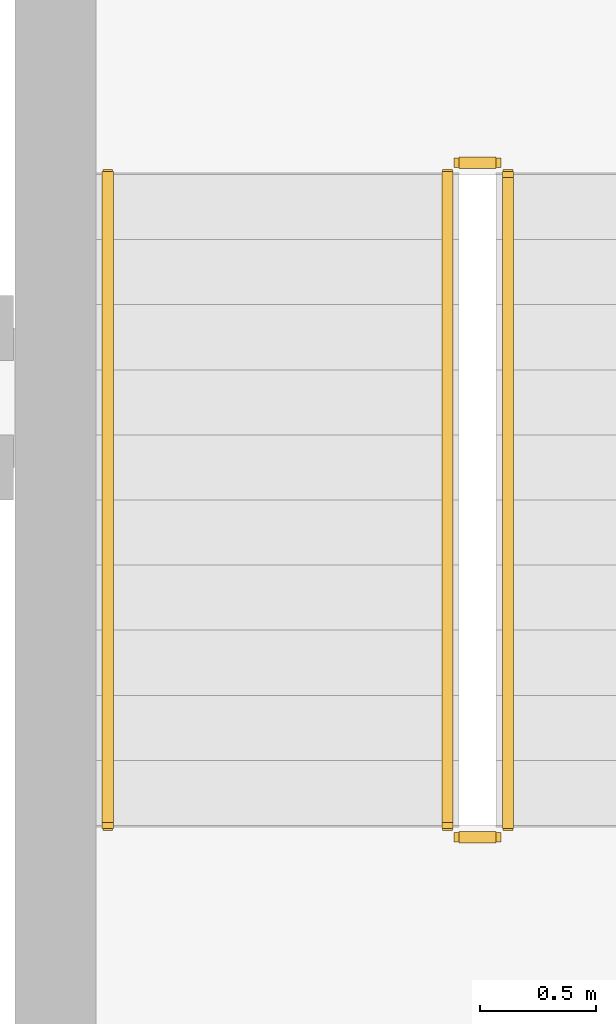
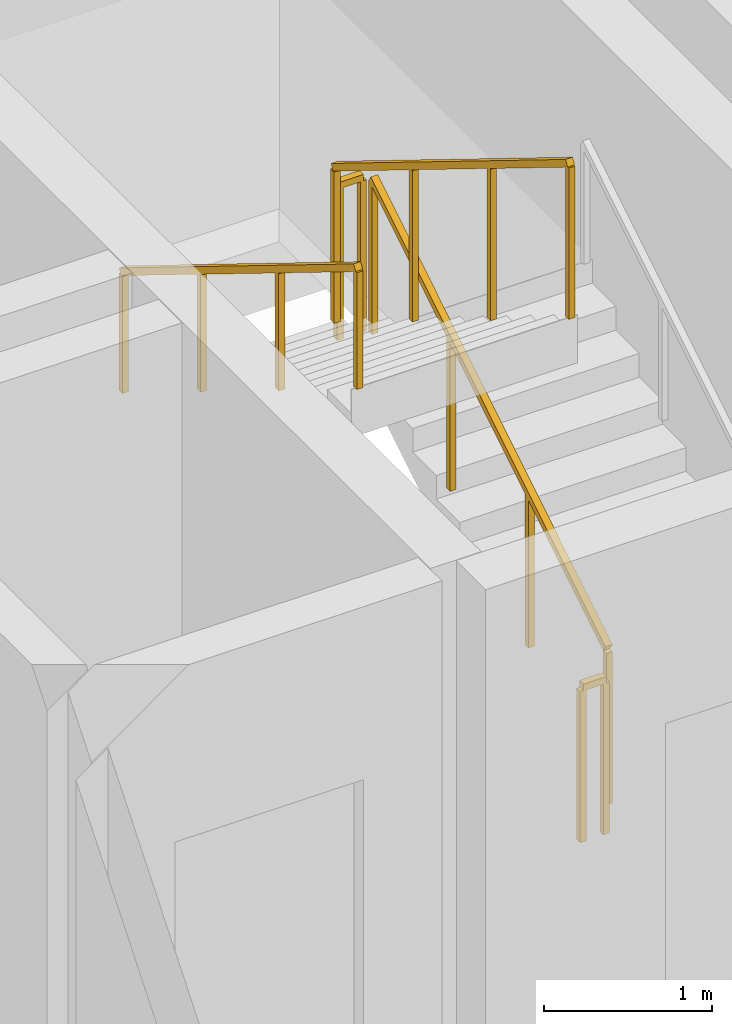
# One storey, part 14 of 15: 5 railings.
"""IFC4 building model written with IfcOpenShell, lengths in metres."""

import ifcopenshell
import ifcopenshell.guid

model = None  # the IFC model being written
_history = None  # IfcOwnerHistory: only IFC2X3 demands one
_inside = {}  # id of a spatial element -> (the spatial element, [elements in it])
_under = {}  # id of a project, library or spatial element -> (it, [spatial elements below it])
_declared = {}  # id of a project -> (the project, [libraries it declares])
_typed = {}  # id of a type object -> (the type object, [elements of that type])
_made_of = {}  # id of a material, layer set ... -> (it, [elements and type objects made of it])


def new_model(schema):
    """Start an empty IFC model of exactly this schema.

    Asked for "IFC4X3", IfcOpenShell would pick the latest addendum, in which some entities
    have other attributes; the version numbers below select the first issue.
    IFC2X3 requires an IfcOwnerHistory on every rooted entity: one is made here for all.
    """
    global model, _history
    if schema == "IFC4X3":
        model = ifcopenshell.file(schema_version=(4, 3, 0, 0))
    else:
        model = ifcopenshell.file(schema=schema)
    _inside.clear()
    _under.clear()
    _declared.clear()
    _typed.clear()
    _made_of.clear()
    _history = None
    if model.schema == "IFC2X3":
        org = make("IfcOrganization", Name="unknown")
        user = make(
            "IfcPersonAndOrganization",
            ThePerson=make("IfcPerson", FamilyName="unknown"),
            TheOrganization=org,
        )
        app = make(
            "IfcApplication",
            ApplicationDeveloper=org,
            Version="unknown",
            ApplicationFullName="unknown",
            ApplicationIdentifier="unknown",
        )
        _history = make(
            "IfcOwnerHistory",
            OwningUser=user,
            OwningApplication=app,
            ChangeAction="ADDED",
            CreationDate=0,
        )
    return model


def make(cls, **values):
    """One entity of the class cls with the attributes given. An attribute that is None is left unset."""
    return model.create_entity(
        cls, **{name: value for name, value in values.items() if value is not None}
    )


def rooted(cls, **values):
    """An entity with a GlobalId (a new one), such as an element, a storey or a relation."""
    return make(cls, GlobalId=ifcopenshell.guid.new(), OwnerHistory=_history, **values)


def si_unit(unit_type, name, prefix=None):
    """IfcSIUnit, for example si_unit("LENGTHUNIT", "METRE", prefix="MILLI")."""
    return make("IfcSIUnit", UnitType=unit_type, Prefix=prefix, Name=name)


def assignment(units):
    """IfcUnitAssignment: the units of a project."""
    return None if units is None else make("IfcUnitAssignment", Units=units)


def point(xyz):
    """IfcCartesianPoint."""
    return None if xyz is None else make("IfcCartesianPoint", Coordinates=xyz)


def direction(xyz):
    """IfcDirection."""
    return None if xyz is None else make("IfcDirection", DirectionRatios=xyz)


def frame(location, z_axis=None, x_axis=None):
    """IfcAxis2Placement3D, a coordinate frame: its origin and axes. An axis left out is left unset."""
    return make(
        "IfcAxis2Placement3D",
        Location=point(location),
        Axis=direction(z_axis),
        RefDirection=direction(x_axis),
    )


def frame_2d(location, x_axis=None):
    """IfcAxis2Placement2D, a coordinate frame in the plane: its origin and x axis."""
    return make(
        "IfcAxis2Placement2D", Location=point(location), RefDirection=direction(x_axis)
    )


def origin():
    """The frame at (0, 0, 0) with its axes left unset."""
    return frame((0.0, 0.0, 0.0))


def origin_2d():
    """The frame at (0, 0) in the plane with its x axis left unset."""
    return frame_2d((0.0, 0.0))


def place(relative_to, where):
    """IfcLocalPlacement: puts the frame where relative to a parent placement (None: the world)."""
    return make(
        "IfcLocalPlacement", PlacementRelTo=relative_to, RelativePlacement=where
    )


def context(
    kind, dimensions, precision=None, world=None, true_north=None, identifier=None
):
    """IfcGeometricRepresentationContext, for example the 3D "Model" context."""
    return make(
        "IfcGeometricRepresentationContext",
        ContextIdentifier=identifier,
        ContextType=kind,
        CoordinateSpaceDimension=dimensions,
        Precision=precision,
        WorldCoordinateSystem=world,
        TrueNorth=true_north,
    )


def subcontext(parent, identifier, kind, view, scale=None):
    """IfcGeometricRepresentationSubContext, for example "Body" below "Model"."""
    return make(
        "IfcGeometricRepresentationSubContext",
        ContextIdentifier=identifier,
        ContextType=kind,
        ParentContext=parent,
        TargetScale=scale,
        TargetView=view,
    )


def project(units=None, contexts=None):
    """IfcProject with its units and contexts."""
    return rooted(
        "IfcProject",
        Name="project",
        RepresentationContexts=contexts,
        UnitsInContext=assignment(units),
    )


def spatial(cls, under=None, at=None, **own):
    """A site, building, storey or space (cls), placed at a placement, below another one or the project."""
    s = rooted(cls, ObjectPlacement=at, **own)
    if under is not None:
        _under.setdefault(under.id(), (under, []))[1].append(s)
    return s


def profile(cls, at=None, kind="AREA", **sizes):
    """A parametric profile (cls). Its sizes go by their IFC names, for example OverallWidth=200.0."""
    return make(cls, ProfileType=kind, Position=at, **sizes)


def rectangle(**sizes):
    """IfcRectangleProfileDef."""
    return profile("IfcRectangleProfileDef", **sizes)


def extrude(swept, where, along, depth):
    """IfcExtrudedAreaSolid: the profile swept, set in the frame where, extruded along a direction by depth."""
    return make(
        "IfcExtrudedAreaSolid",
        SweptArea=swept,
        Position=where,
        ExtrudedDirection=direction(along),
        Depth=depth,
    )


def shape(context_of_items, identifier, shape_type, items):
    """IfcShapeRepresentation: the items that make up one representation, for example the "Body"."""
    return make(
        "IfcShapeRepresentation",
        ContextOfItems=context_of_items,
        RepresentationIdentifier=identifier,
        RepresentationType=shape_type,
        Items=items,
    )


def material(Name=None, Category=None):
    """IfcMaterial."""
    return make("IfcMaterial", Name=Name, Category=Category)


def made_of(thing, what):
    """Note that an element or type object is made of a material, layer set ...; save() writes the relation."""
    if what is not None:
        _made_of.setdefault(what.id(), (what, []))[1].append(thing)
    return thing


def type_object(cls, material=None, **own):
    """A type object (cls), such as IfcWallType, which elements share."""
    return made_of(rooted(cls, **own), material)


def element(
    cls,
    number,
    at=None,
    inside=None,
    cuts=None,
    type_object=None,
    material=None,
    context=None,
    identifier="Body",
    shape_type=None,
    held_by="IfcProductDefinitionShape",
    body=None,
    shapes=None,
    **own,
):
    """One element of the class cls, such as IfcWall. Its Tag is "e" and its number.

    at: its placement. inside: the storey or other place that contains it. cuts: it is an
    opening in that element (IfcRelVoidsElement). A single representation is given by context,
    identifier, shape_type and body (its items); several are given by shapes. held_by: the class
    of the entity that holds the representations. save() writes the other relations.
    """
    e = rooted(cls, Tag="e%d" % number, ObjectPlacement=at, **own)
    if body is not None:
        shapes = [shape(context, identifier, shape_type, body)]
    if shapes is not None:
        e.Representation = make(held_by, Representations=shapes)
    if inside is not None:
        _inside.setdefault(inside.id(), (inside, []))[1].append(e)
    if cuts is not None:
        rooted(
            "IfcRelVoidsElement", RelatingBuildingElement=cuts, RelatedOpeningElement=e
        )
    if type_object is not None:
        _typed.setdefault(type_object.id(), (type_object, []))[1].append(e)
    return made_of(e, material)


def aggregate(whole, parts):
    """IfcRelAggregates: a whole, such as a stair, and the parts it consists of."""
    return rooted("IfcRelAggregates", RelatingObject=whole, RelatedObjects=parts)


def save(model, path):
    """Write the relations noted so far, then the file.

    IfcRelAggregates (storeys below a building ...), IfcRelContainedInSpatialStructure (elements
    in a storey), IfcRelDefinesByType, IfcRelAssociatesMaterial and IfcRelDeclares: one each for
    every whole, place, type object, material and project.
    """
    for whole, parts in _under.values():
        aggregate(whole, parts)
    for where, things in _inside.values():
        rooted(
            "IfcRelContainedInSpatialStructure",
            RelatedElements=things,
            RelatingStructure=where,
        )
    for kind, things in _typed.values():
        rooted("IfcRelDefinesByType", RelatedObjects=things, RelatingType=kind)
    for what, things in _made_of.values():
        rooted("IfcRelAssociatesMaterial", RelatedObjects=things, RelatingMaterial=what)
    for by, libraries in _declared.values():
        rooted("IfcRelDeclares", RelatingContext=by, RelatedDefinitions=libraries)
    model.write(path)


model = new_model("IFC4")

# Units and contexts
model_context = context("Model", 3, precision=1e-05, world=origin(), true_north=direction((0.0, 1.0)))
body_context = subcontext(model_context, "Body", "Model", "MODEL_VIEW")
ifc_project = project(units=[si_unit("LENGTHUNIT", "METRE"), si_unit("AREAUNIT", "SQUARE_METRE"), si_unit("VOLUMEUNIT", "CUBIC_METRE"), si_unit("PLANEANGLEUNIT", "RADIAN"), si_unit("MASSUNIT", "GRAM", prefix="KILO")], contexts=[model_context])

# Site, building, storey
site_placement = place(None, origin())
site = spatial("IfcSite", under=ifc_project, at=site_placement, CompositionType="ELEMENT")
building_placement = place(site_placement, origin())
building = spatial("IfcBuilding", under=site, at=building_placement, Name="Kaelvorn Grand Hotel", CompositionType="ELEMENT")
storey_placement = place(building_placement, frame((0.0, 0.0, 154.35009765625)))
storey = spatial("IfcBuildingStorey", under=building, at=storey_placement, Name="L37", CompositionType="ELEMENT", Elevation=154.35009765625)

# Railings
ifc_material = material(Name="Stainless Steel", Category="steel")
railing_type_1 = type_object("IfcRailingType", Name="RL-HANDRAIL-900", PredefinedType="HANDRAIL", material=ifc_material)
railing_1_placement = place(storey_placement, frame((63.3701171875, 44.56005859375, 2.072509765625)))
element("IfcRailing", 1, at=railing_1_placement, inside=storey, type_object=railing_type_1, Name="L37 ST3 stair handrail 2", PredefinedType="HANDRAIL", context=body_context, shape_type="SweptSolid", body=[
    extrude(rectangle(XDim=0.048095703125, YDim=0.048095703125, at=origin_2d()), frame((0.0, 0.0, 0.8759765625), z_axis=(0.0, -0.851089632645, 0.525020415988), x_axis=(1.0, 0.0, 0.0)), (0.0, 0.0, 1.0), 3.2900390625),
    extrude(rectangle(XDim=0.0419921875, YDim=0.0419921875, at=origin_2d()), origin(), (0.0, 0.0, 1.0), 0.851806640625),
    extrude(rectangle(XDim=0.0419921875, YDim=0.0419921875, at=origin_2d()), frame((0.0, -0.933349609375, 0.57568359375)), (0.0, 0.0, 1.0), 0.851806640625),
    extrude(rectangle(XDim=0.0419921875, YDim=0.0419921875, at=origin_2d()), frame((0.0, -1.86669921875, 1.151611328125)), (0.0, 0.0, 1.0), 0.851806640625),
    extrude(rectangle(XDim=0.0419921875, YDim=0.0419921875, at=origin_2d()), frame((0.0, -2.800048828125, 1.727294921875)), (0.0, 0.0, 1.0), 0.851806640625),
])
railing_type_2 = type_object("IfcRailingType", Name="RL-STAIR-GUARD-1150", PredefinedType="BALUSTRADE", material=ifc_material)
railing_2_placement = place(storey_placement, frame((65.090087890625, 41.760009765625, 0.172607421875)))
element("IfcRailing", 2, at=railing_2_placement, inside=storey, type_object=railing_type_2, Name="L37 ST3 stair guard 1", PredefinedType="BALUSTRADE", context=body_context, shape_type="SweptSolid", body=[
    extrude(rectangle(XDim=0.048095703125, YDim=0.048095703125, at=origin_2d()), frame((0.0, 0.0, 1.1259765625), z_axis=(0.0, 0.851089632645, 0.525020415988), x_axis=(-1.0, 0.0, 0.0)), (0.0, 0.0, 1.0), 3.2900390625),
    extrude(rectangle(XDim=0.0419921875, YDim=0.0419921875, at=origin_2d()), origin(), (0.0, 0.0, 1.0), 1.101806640625),
    extrude(rectangle(XDim=0.0419921875, YDim=0.0419921875, at=origin_2d()), frame((0.0, 0.933349609375, 0.57568359375)), (0.0, 0.0, 1.0), 1.101806640625),
    extrude(rectangle(XDim=0.0419921875, YDim=0.0419921875, at=origin_2d()), frame((0.0, 1.86669921875, 1.151611328125)), (0.0, 0.0, 1.0), 1.101806640625),
    extrude(rectangle(XDim=0.0419921875, YDim=0.0419921875, at=origin_2d()), frame((0.0, 2.800048828125, 1.727294921875)), (0.0, 0.0, 1.0), 1.101806640625),
])
railing_3_placement = place(storey_placement, frame((65.0400390625, 44.610107421875, 1.89990234375)))
element("IfcRailing", 3, at=railing_3_placement, inside=storey, type_object=railing_type_2, Name="L37 ST3 stair guard 2", PredefinedType="BALUSTRADE", context=body_context, shape_type="SweptSolid", body=[
    extrude(rectangle(XDim=0.048095703125, YDim=0.048095703125, at=origin_2d()), frame((0.0, 0.0, 1.1259765625), z_axis=(-1.0, 0.0, 0.0), x_axis=(0.0, -1.0, 0.0)), (0.0, 0.0, 1.0), 0.16015625),
    extrude(rectangle(XDim=0.0419921875, YDim=0.0419921875, at=origin_2d()), origin(), (0.0, 0.0, 1.0), 1.101806640625),
    extrude(rectangle(XDim=0.0419921875, YDim=0.0419921875, at=origin_2d()), frame((-0.16015625, 0.0, 0.0)), (0.0, 0.0, 1.0), 1.101806640625),
])
railing_4_placement = place(storey_placement, frame((64.830078125, 44.56005859375, 2.072509765625)))
element("IfcRailing", 4, at=railing_4_placement, inside=storey, type_object=railing_type_2, Name="L37 ST3 stair guard 3", PredefinedType="BALUSTRADE", context=body_context, shape_type="SweptSolid", body=[
    extrude(rectangle(XDim=0.048095703125, YDim=0.048095703125, at=origin_2d()), frame((0.0, 0.0, 1.1259765625), z_axis=(0.0, -0.851089632645, 0.525020415988), x_axis=(1.0, 0.0, 0.0)), (0.0, 0.0, 1.0), 3.2900390625),
    extrude(rectangle(XDim=0.0419921875, YDim=0.0419921875, at=origin_2d()), origin(), (0.0, 0.0, 1.0), 1.101806640625),
    extrude(rectangle(XDim=0.0419921875, YDim=0.0419921875, at=origin_2d()), frame((0.0, -0.933349609375, 0.57568359375)), (0.0, 0.0, 1.0), 1.101806640625),
    extrude(rectangle(XDim=0.0419921875, YDim=0.0419921875, at=origin_2d()), frame((0.0, -1.86669921875, 1.151611328125)), (0.0, 0.0, 1.0), 1.101806640625),
    extrude(rectangle(XDim=0.0419921875, YDim=0.0419921875, at=origin_2d()), frame((0.0, -2.800048828125, 1.727294921875)), (0.0, 0.0, 1.0), 1.101806640625),
])
railing_5_placement = place(storey_placement, frame((65.0400390625, 41.7099609375, 0.0)))
element("IfcRailing", 5, at=railing_5_placement, inside=storey, type_object=railing_type_2, Name="L37 ST3 stair guard 4", PredefinedType="BALUSTRADE", context=body_context, shape_type="SweptSolid", body=[
    extrude(rectangle(XDim=0.048095703125, YDim=0.048095703125, at=origin_2d()), frame((0.0, 0.0, 1.1259765625), z_axis=(-1.0, 0.0, 0.0), x_axis=(0.0, -1.0, 0.0)), (0.0, 0.0, 1.0), 0.16015625),
    extrude(rectangle(XDim=0.0419921875, YDim=0.0419921875, at=origin_2d()), origin(), (0.0, 0.0, 1.0), 1.101806640625),
    extrude(rectangle(XDim=0.0419921875, YDim=0.0419921875, at=origin_2d()), frame((-0.16015625, 0.0, 0.0)), (0.0, 0.0, 1.0), 1.101806640625),
])

save(model, "model.ifc")
